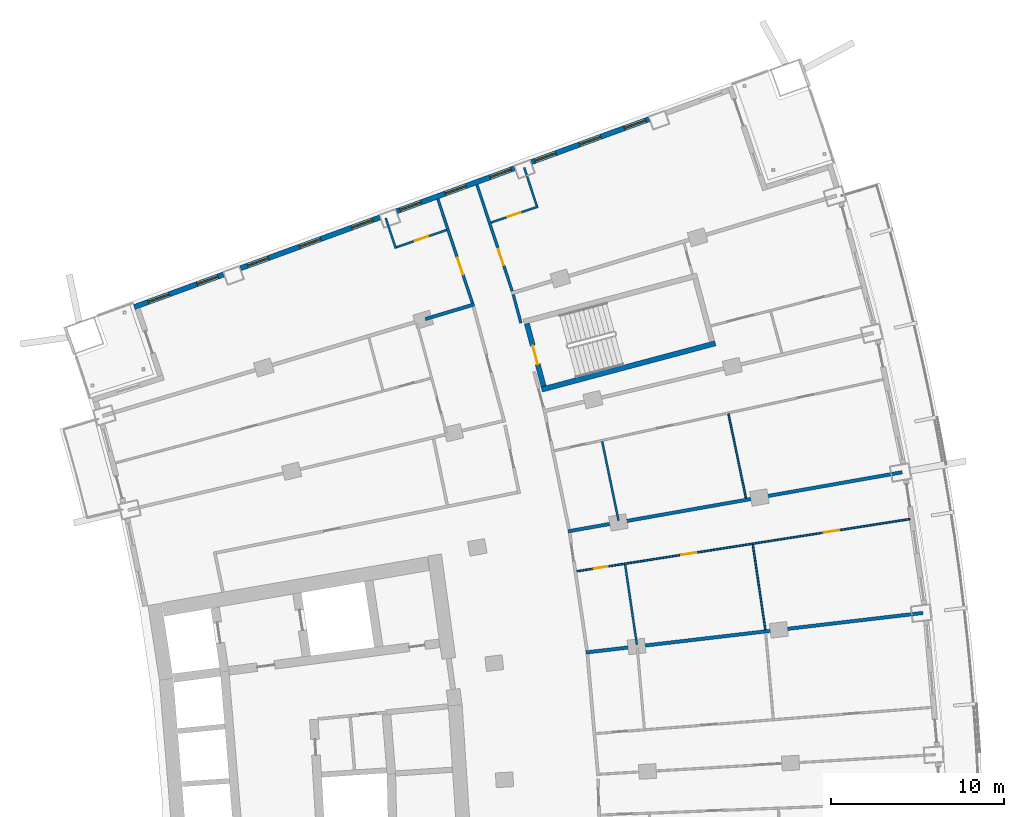
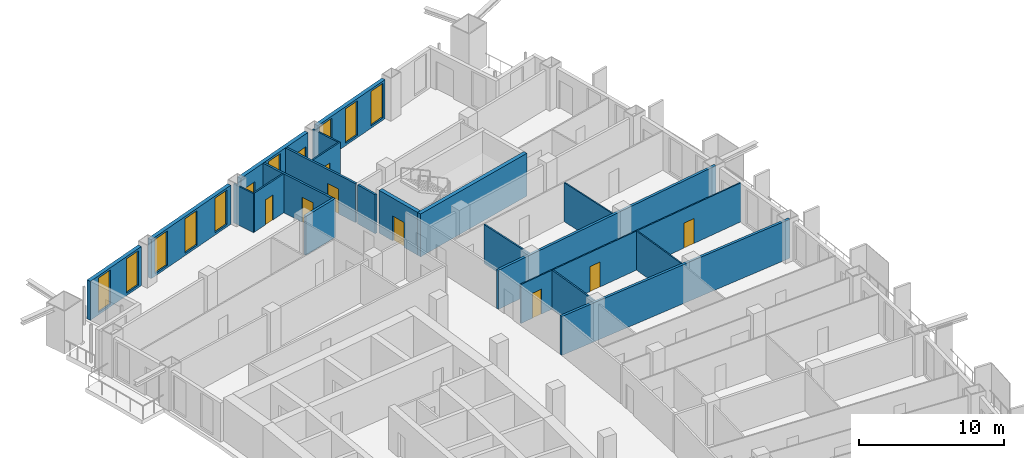
# One storey, part 20 of 25: 21 walls, 11 windows, 8 doors, 19 openings.
"""IFC4 building model written with IfcOpenShell, lengths in metres."""

from ifc_helpers import new_model, si_unit, direction, frame, frame_2d, origin, place, context, subcontext, project, spatial, rectangle, extrude, material, layer, layer_set, type_object, element, fill, save


model = new_model("IFC4")

# Units and contexts
model_context = context("Model", 3, precision=1e-05, world=origin(), true_north=direction((0.0, 1.0)))
body_context = subcontext(model_context, "Body", "Model", "MODEL_VIEW")
ifc_project = project(units=[si_unit("LENGTHUNIT", "METRE"), si_unit("AREAUNIT", "SQUARE_METRE"), si_unit("VOLUMEUNIT", "CUBIC_METRE"), si_unit("PLANEANGLEUNIT", "RADIAN"), si_unit("MASSUNIT", "GRAM", prefix="KILO")], contexts=[model_context])

# Site, building, storey
site_placement = place(None, origin())
site = spatial("IfcSite", under=ifc_project, at=site_placement, CompositionType="ELEMENT")
building_placement = place(site_placement, origin())
building = spatial("IfcBuilding", under=site, at=building_placement, Name="Alderwake Tower", CompositionType="ELEMENT")
storey_placement = place(building_placement, frame((0.0, 0.0, 122.0)))
storey = spatial("IfcBuildingStorey", under=building, at=storey_placement, Name="L30", CompositionType="ELEMENT", Elevation=122.0)

# Wall
ifc_material_1 = material(Name="Concrete C70/85", Category="concrete")
ifc_layer_1 = layer(ifc_material_1, 0.300048828125)
ifc_layer_set_1 = layer_set([ifc_layer_1], Name="Core wall stair enclosure 300 C70-85")
wall_type_1 = type_object("IfcWallType", Name="Core wall stair enclosure 300 C70-85", PredefinedType="SHEAR", material=ifc_layer_set_1)
wall_1_placement = place(storey_placement, frame((37.75390625, 90.268798828125, 0.0), z_axis=(0.0, 0.0, 1.0), x_axis=(0.966309214305, 0.257383958996, 0.0)))
element("IfcWall", 1, at=wall_1_placement, inside=storey, type_object=wall_type_1, Name="Core wall CW.084", PredefinedType="SHEAR", context=body_context, shape_type="SweptSolid", body=[
    extrude(rectangle(XDim=10.360107421875, YDim=0.300048828125, at=frame_2d((5.18017578125, 0.0))), origin(), (0.0, 0.0, 1.0), 3.60009765625),
])

# Wall, opening, door
wall_2_placement = place(storey_placement, frame((37.8603515625, 90.452392578125, 0.0), z_axis=(0.0, 0.0, 1.0), x_axis=(-0.257411420208, 0.966301899381, 0.0)))
wall_2 = element("IfcWall", 2, at=wall_2_placement, inside=storey, type_object=wall_type_1, Name="Core wall CW.083", PredefinedType="SHEAR", context=body_context, shape_type="SweptSolid", body=[
    extrude(rectangle(XDim=3.750244140625, YDim=0.300048828125, at=frame_2d((1.875, 0.0))), origin(), (0.0, 0.0, 1.0), 3.60009765625),
])
opening_1_placement = place(wall_2_placement, frame((1.324951171875, 0.0, 0.0)))
opening_1 = element("IfcOpeningElement", 3, at=opening_1_placement, cuts=wall_2, Name="Opening C062", PredefinedType="OPENING", context=body_context, shape_type="SweptSolid", body=[
    extrude(rectangle(XDim=1.10009765625, YDim=2.10009765625, at=frame_2d((0.550048828125, 1.050048828125))), frame((0.0, 0.159912109375, 0.0), z_axis=(0.0, -1.0, 0.0), x_axis=(1.0, 0.0, 0.0)), (0.0, 0.0, 1.0), 0.320068359375),
])
ifc_material_2 = material(Name="Steel-framed fire door leaf", Category="steel")
door_type_1 = type_object("IfcDoorType", Name="Core stair door 1100 fire-rated", OperationType="SINGLE_SWING_LEFT", PredefinedType="DOOR", material=ifc_material_2)
door_1_placement = place(opening_1_placement, origin())
door_1 = element("IfcDoor", 4, at=door_1_placement, inside=storey, type_object=door_type_1, Name="Stair door", OperationType="SINGLE_SWING_RIGHT", OverallHeight=2.10009765625, OverallWidth=1.10009765625, PredefinedType="DOOR", context=body_context, shape_type="SweptSolid", body=[
    extrude(rectangle(XDim=1.10009765625, YDim=2.10009765625, at=frame_2d((0.550048828125, 1.050048828125))), frame((0.0, 0.02490234375, 0.0), z_axis=(0.0, -1.0, 0.0), x_axis=(1.0, 0.0, 0.0)), (0.0, 0.0, 1.0), 0.050048828125),
])
fill(opening_1, door_1)

ifc_material_3 = material(Name="Gypsum board on metal studs, rated")
ifc_layer_2 = layer(ifc_material_3, 0.159912109375)
ifc_layer_set_2 = layer_set([ifc_layer_2], Name="Corridor wall 160")
wall_type_2 = type_object("IfcWallType", Name="Corridor wall 160", PredefinedType="PARTITIONING", material=ifc_layer_set_2)
wall_3_placement = place(storey_placement, frame((33.75146484375, 95.2548828125, 0.0), z_axis=(0.0, 0.0, 1.0), x_axis=(-0.315406156735, 0.948956772616, 0.0)))
wall_3 = element("IfcWall", 5, at=wall_3_placement, inside=storey, type_object=wall_type_2, Name="WL/L30/W20", PredefinedType="PARTITIONING", context=body_context, shape_type="SweptSolid", body=[
    extrude(rectangle(XDim=6.330078125, YDim=0.159912109375, at=frame_2d((3.1650390625, 0.0))), origin(), (0.0, 0.0, 1.0), 3.280029296875),
])
opening_2_placement = place(wall_3_placement, frame((1.737060546875, 0.0, 0.0)))
opening_2 = element("IfcOpeningElement", 6, at=opening_2_placement, cuts=wall_3, Name="Opening R08-U14.1", PredefinedType="OPENING", context=body_context, shape_type="SweptSolid", body=[
    extrude(rectangle(XDim=1.0, YDim=2.10009765625, at=frame_2d((0.5, 1.050048828125))), frame((0.0, 0.08984375, 0.0), z_axis=(0.0, -1.0, 0.0), x_axis=(1.0, 0.0, 0.0)), (0.0, 0.0, 1.0), 0.179931640625),
])
ifc_material_4 = material(Name="Solid timber leaf in steel frame", Category="steel")
door_type_2 = type_object("IfcDoorType", Name="Flat entrance door 1000 fire-rated", OperationType="SINGLE_SWING_LEFT", PredefinedType="DOOR", material=ifc_material_4)
door_2_placement = place(opening_2_placement, origin())
door_2 = element("IfcDoor", 7, at=door_2_placement, inside=storey, type_object=door_type_2, Name="DR/L30/U14.1", OperationType="SINGLE_SWING_LEFT", OverallHeight=2.10009765625, OverallWidth=1.0, PredefinedType="DOOR", context=body_context, shape_type="SweptSolid", body=[
    extrude(rectangle(XDim=1.0, YDim=2.10009765625, at=frame_2d((0.5, 1.050048828125))), frame((0.0, 0.02490234375, 0.0), z_axis=(0.0, -1.0, 0.0), x_axis=(1.0, 0.0, 0.0)), (0.0, 0.0, 1.0), 0.050048828125),
])
fill(opening_2, door_2)

wall_4_placement = place(storey_placement, frame((34.010986328125, 102.083984375, 0.0), z_axis=(0.0, 0.0, 1.0), x_axis=(0.315140606423, -0.949044992708, 0.0)))
wall_4 = element("IfcWall", 8, at=wall_4_placement, inside=storey, type_object=wall_type_2, Name="WL/L30/W28", PredefinedType="PARTITIONING", context=body_context, shape_type="SweptSolid", body=[
    extrude(rectangle(XDim=6.46875, YDim=0.159912109375, at=frame_2d((3.234375, 0.0))), origin(), (0.0, 0.0, 1.0), 3.280029296875),
])
opening_3_placement = place(wall_4_placement, frame((3.897705078125, 0.0, 0.0)))
opening_3 = element("IfcOpeningElement", 9, at=opening_3_placement, cuts=wall_4, Name="Opening R08-U04.1", PredefinedType="OPENING", context=body_context, shape_type="SweptSolid", body=[
    extrude(rectangle(XDim=1.0, YDim=2.10009765625, at=frame_2d((0.5, 1.050048828125))), frame((0.0, 0.08984375, 0.0), z_axis=(0.0, -1.0, 0.0), x_axis=(1.0, 0.0, 0.0)), (0.0, 0.0, 1.0), 0.179931640625),
])
door_3_placement = place(opening_3_placement, origin())
door_3 = element("IfcDoor", 10, at=door_3_placement, inside=storey, type_object=door_type_2, Name="DR/L30/U04.1", OperationType="SINGLE_SWING_LEFT", OverallHeight=2.10009765625, OverallWidth=1.0, PredefinedType="DOOR", context=body_context, shape_type="SweptSolid", body=[
    extrude(rectangle(XDim=1.0, YDim=2.10009765625, at=frame_2d((0.5, 1.050048828125))), frame((0.0, 0.02490234375, 0.0), z_axis=(0.0, -1.0, 0.0), x_axis=(1.0, 0.0, 0.0)), (0.0, 0.0, 1.0), 0.050048828125),
])
fill(opening_3, door_3)

# Wall
wall_5_placement = place(storey_placement, frame((36.549072265625, 94.110107421875, 0.0), z_axis=(0.0, 0.0, 1.0), x_axis=(-0.259813977097, 0.965658685719, 0.0)))
element("IfcWall", 11, at=wall_5_placement, inside=storey, type_object=wall_type_2, Name="WL/L30/W31", PredefinedType="PARTITIONING", context=body_context, shape_type="SweptSolid", body=[
    extrude(rectangle(XDim=1.70166015625, YDim=0.159912109375, at=frame_2d((0.850830078125, 0.0))), origin(), (0.0, 0.0, 1.0), 3.280029296875),
])

# Wall, openings, windows
ifc_material_5 = material(Name="Bronze metal cladding on lightweight framing")
ifc_layer_3 = layer(ifc_material_5, 0.300048828125)
ifc_layer_set_3 = layer_set([ifc_layer_3], Name="External wall EW2 bronze metal cladding")
wall_type_3 = type_object("IfcWallType", Name="External wall EW2 bronze metal cladding", PredefinedType="SOLIDWALL", material=ifc_layer_set_3)
wall_6_placement = place(storey_placement, frame((43.93408203125, 105.866943359375, 0.0), z_axis=(0.0, 0.0, 1.0), x_axis=(-0.939364762064, -0.342919587939, 0.0)))
wall_6 = element("IfcWall", 12, at=wall_6_placement, inside=storey, type_object=wall_type_3, Name="External wall 26", PredefinedType="SOLIDWALL", context=body_context, shape_type="SweptSolid", body=[
    extrude(rectangle(XDim=7.212646484375, YDim=0.300048828125, at=frame_2d((3.6064453125, 0.0))), origin(), (0.0, 0.0, 1.0), 3.280029296875),
])
opening_4_placement = place(wall_6_placement, frame((0.200927734375, 0.0, 0.199951171875)))
opening_4 = element("IfcOpeningElement", 13, at=opening_4_placement, cuts=wall_6, Name="Opening W1", PredefinedType="OPENING", context=body_context, shape_type="SweptSolid", body=[
    extrude(rectangle(XDim=1.300048828125, YDim=2.89990234375, at=frame_2d((0.64990234375, 1.449951171875))), frame((0.0, 0.159912109375, 0.0), z_axis=(0.0, -1.0, 0.0), x_axis=(1.0, 0.0, 0.0)), (0.0, 0.0, 1.0), 0.320068359375),
])
opening_5_placement = place(wall_6_placement, frame((2.95654296875, 0.0, 0.199951171875)))
opening_5 = element("IfcOpeningElement", 14, at=opening_5_placement, cuts=wall_6, Name="Opening W1", PredefinedType="OPENING", context=body_context, shape_type="SweptSolid", body=[
    extrude(rectangle(XDim=1.300048828125, YDim=2.89990234375, at=frame_2d((0.64990234375, 1.449951171875))), frame((0.0, 0.159912109375, 0.0), z_axis=(0.0, -1.0, 0.0), x_axis=(1.0, 0.0, 0.0)), (0.0, 0.0, 1.0), 0.320068359375),
])
opening_6_placement = place(wall_6_placement, frame((5.712158203125, 0.0, 0.199951171875)))
opening_6 = element("IfcOpeningElement", 15, at=opening_6_placement, cuts=wall_6, Name="Opening W1", PredefinedType="OPENING", context=body_context, shape_type="SweptSolid", body=[
    extrude(rectangle(XDim=1.300048828125, YDim=2.89990234375, at=frame_2d((0.64990234375, 1.449951171875))), frame((0.0, 0.159912109375, 0.0), z_axis=(0.0, -1.0, 0.0), x_axis=(1.0, 0.0, 0.0)), (0.0, 0.0, 1.0), 0.320068359375),
])
ifc_material_6 = material(Name="Bronze tinted glass in aluminium frame", Category="aluminium")
window_type_1 = type_object("IfcWindowType", Name="Window W1 tall fixed and vent", PartitioningType="DOUBLE_PANEL_VERTICAL", PredefinedType="WINDOW", material=ifc_material_6)
window_1_placement = place(opening_4_placement, origin())
window_1 = element("IfcWindow", 16, at=window_1_placement, inside=storey, type_object=window_type_1, Name="Window W1 tall fixed and vent", OverallHeight=2.89990234375, OverallWidth=1.300048828125, PartitioningType="DOUBLE_PANEL_VERTICAL", PredefinedType="WINDOW", context=body_context, shape_type="SweptSolid", body=[
    extrude(rectangle(XDim=1.300048828125, YDim=2.89990234375, at=frame_2d((0.64990234375, 1.449951171875))), frame((0.0, 0.030029296875, 0.0), z_axis=(0.0, -1.0, 0.0), x_axis=(1.0, 0.0, 0.0)), (0.0, 0.0, 1.0), 0.06005859375),
])
fill(opening_4, window_1)
window_2_placement = place(opening_5_placement, origin())
window_2 = element("IfcWindow", 17, at=window_2_placement, inside=storey, type_object=window_type_1, Name="Window W1 tall fixed and vent", OverallHeight=2.89990234375, OverallWidth=1.300048828125, PartitioningType="DOUBLE_PANEL_VERTICAL", PredefinedType="WINDOW", context=body_context, shape_type="SweptSolid", body=[
    extrude(rectangle(XDim=1.300048828125, YDim=2.89990234375, at=frame_2d((0.64990234375, 1.449951171875))), frame((0.0, 0.030029296875, 0.0), z_axis=(0.0, -1.0, 0.0), x_axis=(1.0, 0.0, 0.0)), (0.0, 0.0, 1.0), 0.06005859375),
])
fill(opening_5, window_2)
window_3_placement = place(opening_6_placement, origin())
window_3 = element("IfcWindow", 18, at=window_3_placement, inside=storey, type_object=window_type_1, Name="Window W1 tall fixed and vent", OverallHeight=2.89990234375, OverallWidth=1.300048828125, PartitioningType="DOUBLE_PANEL_VERTICAL", PredefinedType="WINDOW", context=body_context, shape_type="SweptSolid", body=[
    extrude(rectangle(XDim=1.300048828125, YDim=2.89990234375, at=frame_2d((0.64990234375, 1.449951171875))), frame((0.0, 0.030029296875, 0.0), z_axis=(0.0, -1.0, 0.0), x_axis=(1.0, 0.0, 0.0)), (0.0, 0.0, 1.0), 0.06005859375),
])
fill(opening_6, window_3)

wall_7_placement = place(storey_placement, frame((36.16845703125, 103.0322265625, 0.0), z_axis=(0.0, 0.0, 1.0), x_axis=(-0.939375665231, -0.342889719256, 0.0)))
wall_7 = element("IfcWall", 19, at=wall_7_placement, inside=storey, type_object=wall_type_3, Name="External wall 27", PredefinedType="SOLIDWALL", context=body_context, shape_type="SweptSolid", body=[
    extrude(rectangle(XDim=7.212646484375, YDim=0.300048828125, at=frame_2d((3.6064453125, 0.0))), origin(), (0.0, 0.0, 1.0), 3.280029296875),
])
opening_7_placement = place(wall_7_placement, frame((0.20068359375, 0.0, 1.0)))
opening_7 = element("IfcOpeningElement", 20, at=opening_7_placement, cuts=wall_7, Name="Opening W2", PredefinedType="OPENING", context=body_context, shape_type="SweptSolid", body=[
    extrude(rectangle(XDim=1.300048828125, YDim=1.199951171875, at=frame_2d((0.64990234375, 0.60009765625))), frame((0.0, 0.159912109375, 0.0), z_axis=(0.0, -1.0, 0.0), x_axis=(1.0, 0.0, 0.0)), (0.0, 0.0, 1.0), 0.320068359375),
])
opening_8_placement = place(wall_7_placement, frame((2.956298828125, 0.0, 0.199951171875)))
opening_8 = element("IfcOpeningElement", 21, at=opening_8_placement, cuts=wall_7, Name="Opening W1", PredefinedType="OPENING", context=body_context, shape_type="SweptSolid", body=[
    extrude(rectangle(XDim=1.300048828125, YDim=2.89990234375, at=frame_2d((0.64990234375, 1.449951171875))), frame((0.0, 0.159912109375, 0.0), z_axis=(0.0, -1.0, 0.0), x_axis=(1.0, 0.0, 0.0)), (0.0, 0.0, 1.0), 0.320068359375),
])
opening_9_placement = place(wall_7_placement, frame((5.7119140625, 0.0, 1.0)))
opening_9 = element("IfcOpeningElement", 22, at=opening_9_placement, cuts=wall_7, Name="Opening W2", PredefinedType="OPENING", context=body_context, shape_type="SweptSolid", body=[
    extrude(rectangle(XDim=1.300048828125, YDim=1.199951171875, at=frame_2d((0.64990234375, 0.60009765625))), frame((0.0, 0.159912109375, 0.0), z_axis=(0.0, -1.0, 0.0), x_axis=(1.0, 0.0, 0.0)), (0.0, 0.0, 1.0), 0.320068359375),
])
window_4_placement = place(opening_8_placement, origin())
window_4 = element("IfcWindow", 23, at=window_4_placement, inside=storey, type_object=window_type_1, Name="Window W1 tall fixed and vent", OverallHeight=2.89990234375, OverallWidth=1.300048828125, PartitioningType="DOUBLE_PANEL_VERTICAL", PredefinedType="WINDOW", context=body_context, shape_type="SweptSolid", body=[
    extrude(rectangle(XDim=1.300048828125, YDim=2.89990234375, at=frame_2d((0.64990234375, 1.449951171875))), frame((0.0, 0.030029296875, 0.0), z_axis=(0.0, -1.0, 0.0), x_axis=(1.0, 0.0, 0.0)), (0.0, 0.0, 1.0), 0.06005859375),
])
fill(opening_8, window_4)
ifc_material_7 = material(Name="Bronze tinted glass in aluminium frame", Category="aluminium")
window_type_2 = type_object("IfcWindowType", Name="Window W2 kitchen and bath", PartitioningType="SINGLE_PANEL", PredefinedType="WINDOW", material=ifc_material_7)
window_5_placement = place(opening_7_placement, origin())
window_5 = element("IfcWindow", 24, at=window_5_placement, inside=storey, type_object=window_type_2, Name="Window W2 kitchen and bath", OverallHeight=1.199951171875, OverallWidth=1.300048828125, PartitioningType="SINGLE_PANEL", PredefinedType="WINDOW", context=body_context, shape_type="SweptSolid", body=[
    extrude(rectangle(XDim=1.300048828125, YDim=1.199951171875, at=frame_2d((0.64990234375, 0.60009765625))), frame((0.0, 0.030029296875, 0.0), z_axis=(0.0, -1.0, 0.0), x_axis=(1.0, 0.0, 0.0)), (0.0, 0.0, 1.0), 0.06005859375),
])
fill(opening_7, window_5)
window_6_placement = place(opening_9_placement, origin())
window_6 = element("IfcWindow", 25, at=window_6_placement, inside=storey, type_object=window_type_2, Name="Window W2 kitchen and bath", OverallHeight=1.199951171875, OverallWidth=1.300048828125, PartitioningType="SINGLE_PANEL", PredefinedType="WINDOW", context=body_context, shape_type="SweptSolid", body=[
    extrude(rectangle(XDim=1.300048828125, YDim=1.199951171875, at=frame_2d((0.64990234375, 0.60009765625))), frame((0.0, 0.030029296875, 0.0), z_axis=(0.0, -1.0, 0.0), x_axis=(1.0, 0.0, 0.0)), (0.0, 0.0, 1.0), 0.06005859375),
])
fill(opening_9, window_6)

wall_8_placement = place(storey_placement, frame((28.402587890625, 100.197509765625, 0.0), z_axis=(0.0, 0.0, 1.0), x_axis=(-0.939364770023, -0.342919566137, 0.0)))
wall_8 = element("IfcWall", 26, at=wall_8_placement, inside=storey, type_object=wall_type_3, Name="External wall 28", PredefinedType="SOLIDWALL", context=body_context, shape_type="SweptSolid", body=[
    extrude(rectangle(XDim=8.54541015625, YDim=0.300048828125, at=frame_2d((4.272705078125, 0.0))), origin(), (0.0, 0.0, 1.0), 3.280029296875),
])
opening_10_placement = place(wall_8_placement, frame((0.4228515625, 0.0, 0.199951171875)))
opening_10 = element("IfcOpeningElement", 27, at=opening_10_placement, cuts=wall_8, Name="Opening W1", PredefinedType="OPENING", context=body_context, shape_type="SweptSolid", body=[
    extrude(rectangle(XDim=1.300048828125, YDim=2.89990234375, at=frame_2d((0.64990234375, 1.449951171875))), frame((0.0, 0.159912109375, 0.0), z_axis=(0.0, -1.0, 0.0), x_axis=(1.0, 0.0, 0.0)), (0.0, 0.0, 1.0), 0.320068359375),
])
opening_11_placement = place(wall_8_placement, frame((3.622802734375, 0.0, 0.199951171875)))
opening_11 = element("IfcOpeningElement", 28, at=opening_11_placement, cuts=wall_8, Name="Opening W1", PredefinedType="OPENING", context=body_context, shape_type="SweptSolid", body=[
    extrude(rectangle(XDim=1.300048828125, YDim=2.89990234375, at=frame_2d((0.64990234375, 1.449951171875))), frame((0.0, 0.159912109375, 0.0), z_axis=(0.0, -1.0, 0.0), x_axis=(1.0, 0.0, 0.0)), (0.0, 0.0, 1.0), 0.320068359375),
])
opening_12_placement = place(wall_8_placement, frame((6.822998046875, 0.0, 0.199951171875)))
opening_12 = element("IfcOpeningElement", 29, at=opening_12_placement, cuts=wall_8, Name="Opening W1", PredefinedType="OPENING", context=body_context, shape_type="SweptSolid", body=[
    extrude(rectangle(XDim=1.300048828125, YDim=2.89990234375, at=frame_2d((0.64990234375, 1.449951171875))), frame((0.0, 0.159912109375, 0.0), z_axis=(0.0, -1.0, 0.0), x_axis=(1.0, 0.0, 0.0)), (0.0, 0.0, 1.0), 0.320068359375),
])
window_7_placement = place(opening_10_placement, origin())
window_7 = element("IfcWindow", 30, at=window_7_placement, inside=storey, type_object=window_type_1, Name="Window W1 tall fixed and vent", OverallHeight=2.89990234375, OverallWidth=1.300048828125, PartitioningType="DOUBLE_PANEL_VERTICAL", PredefinedType="WINDOW", context=body_context, shape_type="SweptSolid", body=[
    extrude(rectangle(XDim=1.300048828125, YDim=2.89990234375, at=frame_2d((0.64990234375, 1.449951171875))), frame((0.0, 0.030029296875, 0.0), z_axis=(0.0, -1.0, 0.0), x_axis=(1.0, 0.0, 0.0)), (0.0, 0.0, 1.0), 0.06005859375),
])
fill(opening_10, window_7)
window_8_placement = place(opening_11_placement, origin())
window_8 = element("IfcWindow", 31, at=window_8_placement, inside=storey, type_object=window_type_1, Name="Window W1 tall fixed and vent", OverallHeight=2.89990234375, OverallWidth=1.300048828125, PartitioningType="DOUBLE_PANEL_VERTICAL", PredefinedType="WINDOW", context=body_context, shape_type="SweptSolid", body=[
    extrude(rectangle(XDim=1.300048828125, YDim=2.89990234375, at=frame_2d((0.64990234375, 1.449951171875))), frame((0.0, 0.030029296875, 0.0), z_axis=(0.0, -1.0, 0.0), x_axis=(1.0, 0.0, 0.0)), (0.0, 0.0, 1.0), 0.06005859375),
])
fill(opening_11, window_8)
window_9_placement = place(opening_12_placement, origin())
window_9 = element("IfcWindow", 32, at=window_9_placement, inside=storey, type_object=window_type_1, Name="Window W1 tall fixed and vent", OverallHeight=2.89990234375, OverallWidth=1.300048828125, PartitioningType="DOUBLE_PANEL_VERTICAL", PredefinedType="WINDOW", context=body_context, shape_type="SweptSolid", body=[
    extrude(rectangle(XDim=1.300048828125, YDim=2.89990234375, at=frame_2d((0.64990234375, 1.449951171875))), frame((0.0, 0.030029296875, 0.0), z_axis=(0.0, -1.0, 0.0), x_axis=(1.0, 0.0, 0.0)), (0.0, 0.0, 1.0), 0.06005859375),
])
fill(opening_12, window_9)

wall_9_placement = place(storey_placement, frame((19.38427734375, 96.905517578125, 0.0), z_axis=(0.0, 0.0, 1.0), x_axis=(-0.939366897407, -0.342913738506, 0.0)))
wall_9 = element("IfcWall", 33, at=wall_9_placement, inside=storey, type_object=wall_type_3, Name="External wall 29", PredefinedType="SOLIDWALL", context=body_context, shape_type="SweptSolid", body=[
    extrude(rectangle(XDim=5.474365234375, YDim=0.300048828125, at=frame_2d((2.7373046875, 0.0))), origin(), (0.0, 0.0, 1.0), 3.280029296875),
])
opening_13_placement = place(wall_9_placement, frame((0.322998046875, 0.0, 0.199951171875)))
opening_13 = element("IfcOpeningElement", 34, at=opening_13_placement, cuts=wall_9, Name="Opening W1", PredefinedType="OPENING", context=body_context, shape_type="SweptSolid", body=[
    extrude(rectangle(XDim=1.300048828125, YDim=2.89990234375, at=frame_2d((0.64990234375, 1.449951171875))), frame((0.0, 0.159912109375, 0.0), z_axis=(0.0, -1.0, 0.0), x_axis=(1.0, 0.0, 0.0)), (0.0, 0.0, 1.0), 0.320068359375),
])
opening_14_placement = place(wall_9_placement, frame((3.32373046875, 0.0, 0.199951171875)))
opening_14 = element("IfcOpeningElement", 35, at=opening_14_placement, cuts=wall_9, Name="Opening W1", PredefinedType="OPENING", context=body_context, shape_type="SweptSolid", body=[
    extrude(rectangle(XDim=1.300048828125, YDim=2.89990234375, at=frame_2d((0.64990234375, 1.449951171875))), frame((0.0, 0.159912109375, 0.0), z_axis=(0.0, -1.0, 0.0), x_axis=(1.0, 0.0, 0.0)), (0.0, 0.0, 1.0), 0.320068359375),
])
window_10_placement = place(opening_13_placement, origin())
window_10 = element("IfcWindow", 36, at=window_10_placement, inside=storey, type_object=window_type_1, Name="Window W1 tall fixed and vent", OverallHeight=2.89990234375, OverallWidth=1.300048828125, PartitioningType="DOUBLE_PANEL_VERTICAL", PredefinedType="WINDOW", context=body_context, shape_type="SweptSolid", body=[
    extrude(rectangle(XDim=1.300048828125, YDim=2.89990234375, at=frame_2d((0.64990234375, 1.449951171875))), frame((0.0, 0.030029296875, 0.0), z_axis=(0.0, -1.0, 0.0), x_axis=(1.0, 0.0, 0.0)), (0.0, 0.0, 1.0), 0.06005859375),
])
fill(opening_13, window_10)
window_11_placement = place(opening_14_placement, origin())
window_11 = element("IfcWindow", 37, at=window_11_placement, inside=storey, type_object=window_type_1, Name="Window W1 tall fixed and vent", OverallHeight=2.89990234375, OverallWidth=1.300048828125, PartitioningType="DOUBLE_PANEL_VERTICAL", PredefinedType="WINDOW", context=body_context, shape_type="SweptSolid", body=[
    extrude(rectangle(XDim=1.300048828125, YDim=2.89990234375, at=frame_2d((0.64990234375, 1.449951171875))), frame((0.0, 0.030029296875, 0.0), z_axis=(0.0, -1.0, 0.0), x_axis=(1.0, 0.0, 0.0)), (0.0, 0.0, 1.0), 0.06005859375),
])
fill(opening_14, window_11)

# Walls
ifc_material_8 = material(Name="Dense block masonry wall", Category="masonry")
ifc_layer_4 = layer(ifc_material_8, 0.199951171875)
ifc_layer_set_4 = layer_set([ifc_layer_4], Name="Party wall 200")
wall_type_4 = type_object("IfcWallType", Name="Party wall 200", PredefinedType="SOLIDWALL", material=ifc_layer_set_4)
wall_10_placement = place(storey_placement, frame((33.859619140625, 95.182861328125, 0.0), z_axis=(0.0, 0.0, 1.0), x_axis=(-0.957990293796, -0.286800622373, 0.0)))
element("IfcWall", 38, at=wall_10_placement, inside=storey, type_object=wall_type_4, Name="WL/L30/W04", PredefinedType="SOLIDWALL", context=body_context, shape_type="SweptSolid", body=[
    extrude(rectangle(XDim=2.947021484375, YDim=0.199951171875, at=frame_2d((1.4736328125, 0.0))), origin(), (0.0, 0.0, 1.0), 3.280029296875),
])
wall_11_placement = place(storey_placement, frame((39.269287109375, 82.087158203125, 0.0), z_axis=(0.0, 0.0, 1.0), x_axis=(0.984720105895, 0.174144517702, 0.0)))
element("IfcWall", 39, at=wall_11_placement, inside=storey, type_object=wall_type_4, Name="WL/L30/W08", PredefinedType="SOLIDWALL", context=body_context, shape_type="SweptSolid", body=[
    extrude(rectangle(XDim=19.5810546875, YDim=0.199951171875, at=frame_2d((9.79052734375, 0.0))), origin(), (0.0, 0.0, 1.0), 3.280029296875),
])
wall_12_placement = place(storey_placement, frame((59.7451171875, 77.37890625, 0.0), z_axis=(0.0, 0.0, 1.0), x_axis=(-0.993195977177, -0.116454930851, 0.0)))
element("IfcWall", 40, at=wall_12_placement, inside=storey, type_object=wall_type_4, Name="WL/L30/W12", PredefinedType="SOLIDWALL", context=body_context, shape_type="SweptSolid", body=[
    extrude(rectangle(XDim=19.580810546875, YDim=0.199951171875, at=frame_2d((9.79052734375, 0.0))), origin(), (0.0, 0.0, 1.0), 3.280029296875),
])

# Wall, openings, doors
ifc_material_9 = material(Name="Gypsum board on metal studs")
ifc_layer_5 = layer(ifc_material_9, 0.10009765625)
ifc_layer_set_5 = layer_set([ifc_layer_5], Name="Unit partition 100")
wall_type_5 = type_object("IfcWallType", Name="Unit partition 100", PredefinedType="PARTITIONING", material=ifc_layer_set_5)
wall_13_placement = place(storey_placement, frame((58.998046875, 82.797119140625, 0.0), z_axis=(0.0, 0.0, 1.0), x_axis=(-0.987932626215, -0.154884234383, 0.0)))
wall_13 = element("IfcWall", 41, at=wall_13_placement, inside=storey, type_object=wall_type_5, Name="WL/L30/W68", PredefinedType="PARTITIONING", context=body_context, shape_type="SweptSolid", body=[
    extrude(rectangle(XDim=19.4638671875, YDim=0.10009765625, at=frame_2d((9.73193359375, 0.0))), origin(), (0.0, 0.0, 1.0), 3.280029296875),
])
opening_15_placement = place(wall_13_placement, frame((12.464111328125, 0.0, 0.0)))
opening_15 = element("IfcOpeningElement", 42, at=opening_15_placement, cuts=wall_13, Name="Opening R08-U09.1", PredefinedType="OPENING", context=body_context, shape_type="SweptSolid", body=[
    extrude(rectangle(XDim=0.89990234375, YDim=2.10009765625, at=frame_2d((0.449951171875, 1.050048828125))), frame((0.0, 0.06005859375, 0.0), z_axis=(0.0, -1.0, 0.0), x_axis=(1.0, 0.0, 0.0)), (0.0, 0.0, 1.0), 0.1201171875),
])
opening_16_placement = place(wall_13_placement, frame((17.65380859375, 0.0, 0.0)))
opening_16 = element("IfcOpeningElement", 43, at=opening_16_placement, cuts=wall_13, Name="Opening R08-U09.3", PredefinedType="OPENING", context=body_context, shape_type="SweptSolid", body=[
    extrude(rectangle(XDim=0.800048828125, YDim=2.10009765625, at=frame_2d((0.39990234375, 1.050048828125))), frame((0.0, 0.06005859375, 0.0), z_axis=(0.0, -1.0, 0.0), x_axis=(1.0, 0.0, 0.0)), (0.0, 0.0, 1.0), 0.1201171875),
])
opening_17_placement = place(wall_13_placement, frame((4.14208984375, 0.0, 0.0)))
opening_17 = element("IfcOpeningElement", 44, at=opening_17_placement, cuts=wall_13, Name="Opening R08-U09.4", PredefinedType="OPENING", context=body_context, shape_type="SweptSolid", body=[
    extrude(rectangle(XDim=0.89990234375, YDim=2.10009765625, at=frame_2d((0.449951171875, 1.050048828125))), frame((0.0, 0.06005859375, 0.0), z_axis=(0.0, -1.0, 0.0), x_axis=(1.0, 0.0, 0.0)), (0.0, 0.0, 1.0), 0.1201171875),
])
ifc_material_10 = material(Name="Painted timber leaf", Category="wood")
door_type_3 = type_object("IfcDoorType", Name="Bathroom door 800", OperationType="SINGLE_SWING_LEFT", PredefinedType="DOOR", material=ifc_material_10)
door_4_placement = place(opening_16_placement, origin())
door_4 = element("IfcDoor", 45, at=door_4_placement, inside=storey, type_object=door_type_3, Name="DR/L30/U09.3", OperationType="SINGLE_SWING_LEFT", OverallHeight=2.10009765625, OverallWidth=0.800048828125, PredefinedType="DOOR", context=body_context, shape_type="SweptSolid", body=[
    extrude(rectangle(XDim=0.800048828125, YDim=2.10009765625, at=frame_2d((0.39990234375, 1.050048828125))), frame((0.0, 0.02490234375, 0.0), z_axis=(0.0, -1.0, 0.0), x_axis=(1.0, 0.0, 0.0)), (0.0, 0.0, 1.0), 0.050048828125),
])
fill(opening_16, door_4)
ifc_material_11 = material(Name="Painted timber leaf", Category="wood")
door_type_4 = type_object("IfcDoorType", Name="Room door 900", OperationType="SINGLE_SWING_LEFT", PredefinedType="DOOR", material=ifc_material_11)
door_5_placement = place(opening_15_placement, origin())
door_5 = element("IfcDoor", 46, at=door_5_placement, inside=storey, type_object=door_type_4, Name="DR/L30/U09.1", OperationType="SINGLE_SWING_LEFT", OverallHeight=2.10009765625, OverallWidth=0.89990234375, PredefinedType="DOOR", context=body_context, shape_type="SweptSolid", body=[
    extrude(rectangle(XDim=0.89990234375, YDim=2.10009765625, at=frame_2d((0.449951171875, 1.050048828125))), frame((0.0, 0.02490234375, 0.0), z_axis=(0.0, -1.0, 0.0), x_axis=(1.0, 0.0, 0.0)), (0.0, 0.0, 1.0), 0.050048828125),
])
fill(opening_15, door_5)
door_6_placement = place(opening_17_placement, origin())
door_6 = element("IfcDoor", 47, at=door_6_placement, inside=storey, type_object=door_type_4, Name="DR/L30/U09.4", OperationType="SINGLE_SWING_LEFT", OverallHeight=2.10009765625, OverallWidth=0.89990234375, PredefinedType="DOOR", context=body_context, shape_type="SweptSolid", body=[
    extrude(rectangle(XDim=0.89990234375, YDim=2.10009765625, at=frame_2d((0.449951171875, 1.050048828125))), frame((0.0, 0.02490234375, 0.0), z_axis=(0.0, -1.0, 0.0), x_axis=(1.0, 0.0, 0.0)), (0.0, 0.0, 1.0), 0.050048828125),
])
fill(opening_17, door_6)

# Walls
wall_14_placement = place(storey_placement, frame((49.53369140625, 84.0048828125, 0.0), z_axis=(0.0, 0.0, 1.0), x_axis=(-0.202997574952, 0.979179240264, 0.0)))
element("IfcWall", 48, at=wall_14_placement, inside=storey, type_object=wall_type_5, Name="WL/L30/W79", PredefinedType="PARTITIONING", context=body_context, shape_type="SweptSolid", body=[
    extrude(rectangle(XDim=4.96337890625, YDim=0.10009765625, at=frame_2d((2.481689453125, 0.0))), origin(), (0.0, 0.0, 1.0), 3.280029296875),
])
wall_15_placement = place(storey_placement, frame((50.65234375, 76.4130859375, 0.0), z_axis=(0.0, 0.0, 1.0), x_axis=(-0.145399144846, 0.98937307861, 0.0)))
element("IfcWall", 49, at=wall_15_placement, inside=storey, type_object=wall_type_5, Name="WL/L30/W81", PredefinedType="PARTITIONING", context=body_context, shape_type="SweptSolid", body=[
    extrude(rectangle(XDim=4.965087890625, YDim=0.10009765625, at=frame_2d((2.482421875, 0.0))), origin(), (0.0, 0.0, 1.0), 3.280029296875),
])
ifc_material_12 = material(Name="Moisture resistant gypsum board on metal studs")
ifc_layer_6 = layer(ifc_material_12, 0.1201171875)
ifc_layer_set_6 = layer_set([ifc_layer_6], Name="Wet room partition 120")
wall_type_6 = type_object("IfcWallType", Name="Wet room partition 120", PredefinedType="PARTITIONING", material=ifc_layer_set_6)
wall_16_placement = place(storey_placement, frame((28.7490234375, 100.1640625, 0.0), z_axis=(0.0, 0.0, 1.0), x_axis=(0.314645530733, -0.949209244577, 0.0)))
element("IfcWall", 50, at=wall_16_placement, inside=storey, type_object=wall_type_6, Name="WL/L30/W43", PredefinedType="PARTITIONING", context=body_context, shape_type="SweptSolid", body=[
    extrude(rectangle(XDim=1.85205078125, YDim=0.1201171875, at=frame_2d((0.926025390625, 0.0))), origin(), (0.0, 0.0, 1.0), 3.280029296875),
])

# Wall, opening, door
wall_17_placement = place(storey_placement, frame((29.369873046875, 98.482421875, 0.0), z_axis=(0.0, 0.0, 1.0), x_axis=(0.945919367523, 0.324401834375, 0.0)))
wall_17 = element("IfcWall", 51, at=wall_17_placement, inside=storey, type_object=wall_type_6, Name="WL/L30/W44", PredefinedType="PARTITIONING", context=body_context, shape_type="SweptSolid", body=[
    extrude(rectangle(XDim=3.06005859375, YDim=0.1201171875, at=frame_2d((1.530029296875, 0.0))), origin(), (0.0, 0.0, 1.0), 3.280029296875),
])
opening_18_placement = place(wall_17_placement, frame((1.1298828125, 0.0, 0.0)))
opening_18 = element("IfcOpeningElement", 52, at=opening_18_placement, cuts=wall_17, Name="Opening R08-U14.2", PredefinedType="OPENING", context=body_context, shape_type="SweptSolid", body=[
    extrude(rectangle(XDim=0.800048828125, YDim=2.10009765625, at=frame_2d((0.39990234375, 1.050048828125))), frame((0.0, 0.070068359375, 0.0), z_axis=(0.0, -1.0, 0.0), x_axis=(1.0, 0.0, 0.0)), (0.0, 0.0, 1.0), 0.14013671875),
])
door_7_placement = place(opening_18_placement, origin())
door_7 = element("IfcDoor", 53, at=door_7_placement, inside=storey, type_object=door_type_3, Name="DR/L30/U14.2", OperationType="SINGLE_SWING_LEFT", OverallHeight=2.10009765625, OverallWidth=0.800048828125, PredefinedType="DOOR", context=body_context, shape_type="SweptSolid", body=[
    extrude(rectangle(XDim=0.800048828125, YDim=2.10009765625, at=frame_2d((0.39990234375, 1.050048828125))), frame((0.0, 0.02490234375, 0.0), z_axis=(0.0, -1.0, 0.0), x_axis=(1.0, 0.0, 0.0)), (0.0, 0.0, 1.0), 0.050048828125),
])
fill(opening_18, door_7)

wall_18_placement = place(storey_placement, frame((34.81884765625, 99.901611328125, 0.0), z_axis=(0.0, 0.0, 1.0), x_axis=(0.947119631015, 0.32088067026, 0.0)))
wall_18 = element("IfcWall", 54, at=wall_18_placement, inside=storey, type_object=wall_type_6, Name="WL/L30/W50", PredefinedType="PARTITIONING", context=body_context, shape_type="SweptSolid", body=[
    extrude(rectangle(XDim=2.878173828125, YDim=0.1201171875, at=frame_2d((1.43896484375, 0.0))), origin(), (0.0, 0.0, 1.0), 3.280029296875),
])
opening_19_placement = place(wall_18_placement, frame((1.009765625, 0.0, 0.0)))
opening_19 = element("IfcOpeningElement", 55, at=opening_19_placement, cuts=wall_18, Name="Opening R08-U04.2", PredefinedType="OPENING", context=body_context, shape_type="SweptSolid", body=[
    extrude(rectangle(XDim=0.800048828125, YDim=2.10009765625, at=frame_2d((0.39990234375, 1.050048828125))), frame((0.0, 0.070068359375, 0.0), z_axis=(0.0, -1.0, 0.0), x_axis=(1.0, 0.0, 0.0)), (0.0, 0.0, 1.0), 0.14013671875),
])
door_8_placement = place(opening_19_placement, origin())
door_8 = element("IfcDoor", 56, at=door_8_placement, inside=storey, type_object=door_type_3, Name="DR/L30/U04.2", OperationType="SINGLE_SWING_LEFT", OverallHeight=2.10009765625, OverallWidth=0.800048828125, PredefinedType="DOOR", context=body_context, shape_type="SweptSolid", body=[
    extrude(rectangle(XDim=0.800048828125, YDim=2.10009765625, at=frame_2d((0.39990234375, 1.050048828125))), frame((0.0, 0.02490234375, 0.0), z_axis=(0.0, -1.0, 0.0), x_axis=(1.0, 0.0, 0.0)), (0.0, 0.0, 1.0), 0.050048828125),
])
fill(opening_19, door_8)

# Walls
wall_19_placement = place(storey_placement, frame((37.468994140625, 100.863037109375, 0.0), z_axis=(0.0, 0.0, 1.0), x_axis=(-0.314251248963, 0.94933985091, 0.0)))
element("IfcWall", 57, at=wall_19_placement, inside=storey, type_object=wall_type_6, Name="WL/L30/W53", PredefinedType="PARTITIONING", context=body_context, shape_type="SweptSolid", body=[
    extrude(rectangle(XDim=2.33544921875, YDim=0.1201171875, at=frame_2d((1.167724609375, 0.0))), origin(), (0.0, 0.0, 1.0), 3.280029296875),
])
wall_20_placement = place(storey_placement, frame((42.18359375, 82.7060546875, 0.0), z_axis=(0.0, 0.0, 1.0), x_axis=(-0.20267985984, 0.979245053301, 0.0)))
element("IfcWall", 58, at=wall_20_placement, inside=storey, type_object=wall_type_6, Name="WL/L30/W56", PredefinedType="PARTITIONING", context=body_context, shape_type="SweptSolid", body=[
    extrude(rectangle(XDim=4.6748046875, YDim=0.1201171875, at=frame_2d((2.33740234375, 0.0))), origin(), (0.0, 0.0, 1.0), 3.280029296875),
])
wall_21_placement = place(storey_placement, frame((43.242431640625, 75.5458984375, 0.0), z_axis=(0.0, 0.0, 1.0), x_axis=(-0.145515042, 0.989356039326, 0.0)))
element("IfcWall", 59, at=wall_21_placement, inside=storey, type_object=wall_type_6, Name="WL/L30/W57", PredefinedType="PARTITIONING", context=body_context, shape_type="SweptSolid", body=[
    extrude(rectangle(XDim=4.67431640625, YDim=0.1201171875, at=frame_2d((2.337158203125, 0.0))), origin(), (0.0, 0.0, 1.0), 3.280029296875),
])

save(model, "model.ifc")
